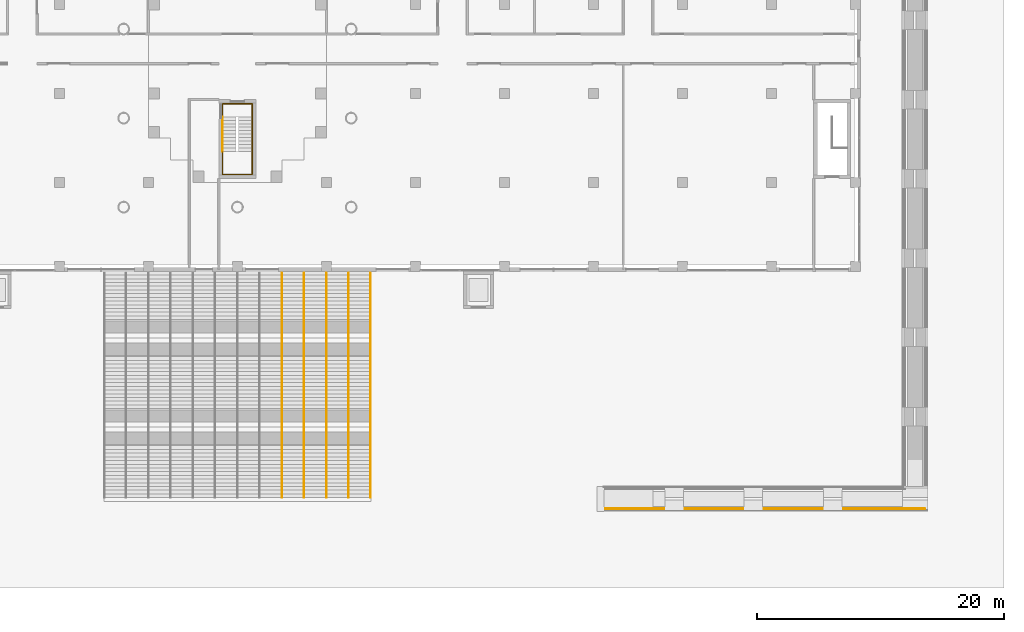
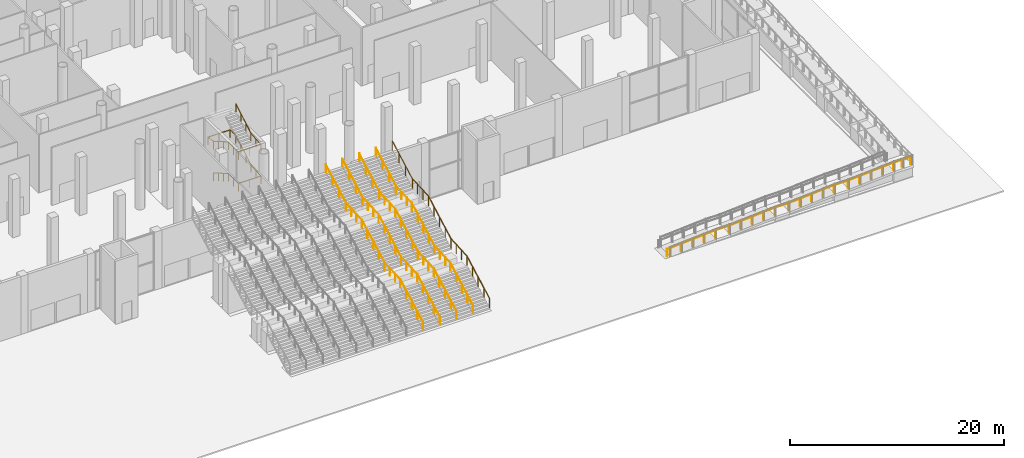
# One storey, part 36 of 44: 10 railings.
"""IFC4 building model written with IfcOpenShell, lengths in metres."""

from ifc_helpers import new_model, si_unit, direction, frame, origin, origin_2d, place, context, subcontext, project, spatial, circle, extrude, material, type_object, element, save


model = new_model("IFC4")

# Units and contexts
model_context = context("Model", 3, precision=1e-05, world=origin(), true_north=direction((0.0, 1.0)))
body_context = subcontext(model_context, "Body", "Model", "MODEL_VIEW")
ifc_project = project(units=[si_unit("LENGTHUNIT", "METRE"), si_unit("AREAUNIT", "SQUARE_METRE"), si_unit("VOLUMEUNIT", "CUBIC_METRE"), si_unit("PLANEANGLEUNIT", "RADIAN"), si_unit("MASSUNIT", "GRAM", prefix="KILO")], contexts=[model_context])

# Site, building, storey
site_placement = place(None, origin())
site = spatial("IfcSite", under=ifc_project, at=site_placement, CompositionType="ELEMENT")
building_placement = place(site_placement, origin())
building = spatial("IfcBuilding", under=site, at=building_placement, Name="Fustian Cross Tower", CompositionType="ELEMENT")
storey_placement = place(building_placement, origin())
storey = spatial("IfcBuildingStorey", under=building, at=storey_placement, Name="L00", CompositionType="ELEMENT", Elevation=0.0)

# Railings
ifc_material_1 = material(Name="Stainless steel", Category="steel")
railing_type_1 = type_object("IfcRailingType", Name="STAIR HANDRAIL", PredefinedType="HANDRAIL", material=ifc_material_1)
railing_1_placement = place(storey_placement, frame((-1.199951171875, -37.89990234375, 0.16357421875)))
element("IfcRailing", 1, at=railing_1_placement, inside=storey, type_object=railing_type_1, Name="Stair ST6 handrail 1", PredefinedType="HANDRAIL", context=body_context, shape_type="SweptSolid", body=[
    extrude(circle(Radius=0.02490234375, at=origin_2d()), frame((0.0, 0.0, 0.875), z_axis=(0.0, -0.863360870873, 0.504586966384), x_axis=(1.0, 0.0, 0.0)), (0.0, 0.0, 1.0), 3.2431640625),
    extrude(circle(Radius=0.02001953125, at=origin_2d()), origin(), (0.0, 0.0, 1.0), 0.849853515625),
    extrude(circle(Radius=0.02001953125, at=origin_2d()), frame((0.0, -0.933349609375, 0.54541015625)), (0.0, 0.0, 1.0), 0.849853515625),
    extrude(circle(Radius=0.02001953125, at=origin_2d()), frame((0.0, -1.86669921875, 1.091064453125)), (0.0, 0.0, 1.0), 0.849853515625),
    extrude(circle(Radius=0.02001953125, at=origin_2d()), frame((0.0, -2.800048828125, 1.636474609375)), (0.0, 0.0, 1.0), 0.849853515625),
])
railing_2_placement = place(storey_placement, frame((-1.199951171875, -40.699951171875, 1.800048828125)))
element("IfcRailing", 2, at=railing_2_placement, inside=storey, type_object=railing_type_1, Name="Stair ST6 handrail 2", PredefinedType="HANDRAIL", context=body_context, shape_type="SweptSolid", body=[
    extrude(circle(Radius=0.02490234375, at=origin_2d()), frame((0.0, 0.0, 0.875), z_axis=(0.0, -1.0, 0.0), x_axis=(1.0, 0.0, 0.0)), (0.0, 0.0, 1.0), 1.860107421875),
    extrude(circle(Radius=0.02490234375, at=origin_2d()), frame((0.0, -1.860107421875, 0.875), z_axis=(1.0, 0.0, 0.0), x_axis=(0.0, 1.0, 0.0)), (0.0, 0.0, 1.0), 2.39990234375),
    extrude(circle(Radius=0.02490234375, at=origin_2d()), frame((2.39990234375, -1.860107421875, 0.875), z_axis=(0.0, 0.996155731489, 0.087599992138), x_axis=(-1.0, 0.0, 0.0)), (0.0, 0.0, 1.0), 1.8671875),
    extrude(circle(Radius=0.02490234375, at=origin_2d()), frame((2.39990234375, 0.0, 1.03857421875), z_axis=(0.0, 0.863360870873, 0.504586966384), x_axis=(-1.0, 0.0, 0.0)), (0.0, 0.0, 1.0), 3.2431640625),
    extrude(circle(Radius=0.02001953125, at=origin_2d()), origin(), (0.0, 0.0, 1.0), 0.849853515625),
    extrude(circle(Radius=0.02001953125, at=origin_2d()), frame((0.0, -0.93017578125, 0.0)), (0.0, 0.0, 1.0), 0.849853515625),
    extrude(circle(Radius=0.02001953125, at=origin_2d()), frame((0.0, -1.860107421875, 0.0)), (0.0, 0.0, 1.0), 0.849853515625),
    extrude(circle(Radius=0.02001953125, at=origin_2d()), frame((1.199951171875, -1.860107421875, 0.0)), (0.0, 0.0, 1.0), 0.849853515625),
    extrude(circle(Radius=0.02001953125, at=origin_2d()), frame((2.39990234375, -1.860107421875, 0.0)), (0.0, 0.0, 1.0), 0.849853515625),
    extrude(circle(Radius=0.02001953125, at=origin_2d()), frame((2.39990234375, -0.93017578125, 0.081787109375)), (0.0, 0.0, 1.0), 0.849853515625),
    extrude(circle(Radius=0.02001953125, at=origin_2d()), frame((2.39990234375, 0.0, 0.16357421875)), (0.0, 0.0, 1.0), 0.849853515625),
    extrude(circle(Radius=0.02001953125, at=origin_2d()), frame((2.39990234375, 0.933349609375, 0.708984375)), (0.0, 0.0, 1.0), 0.849853515625),
    extrude(circle(Radius=0.02001953125, at=origin_2d()), frame((2.39990234375, 1.86669921875, 1.254638671875)), (0.0, 0.0, 1.0), 0.849853515625),
    extrude(circle(Radius=0.02001953125, at=origin_2d()), frame((2.39990234375, 2.800048828125, 1.800048828125)), (0.0, 0.0, 1.0), 0.849853515625),
])
railing_3_placement = place(storey_placement, frame((1.199951171875, -37.89990234375, 3.60009765625)))
element("IfcRailing", 3, at=railing_3_placement, inside=storey, type_object=railing_type_1, Name="Stair ST6 handrail 3", PredefinedType="HANDRAIL", context=body_context, shape_type="SweptSolid", body=[
    extrude(circle(Radius=0.02490234375, at=origin_2d()), frame((0.0, 0.0, 0.875), z_axis=(0.0, 1.0, 0.0), x_axis=(-1.0, 0.0, 0.0)), (0.0, 0.0, 1.0), 1.059814453125),
    extrude(circle(Radius=0.02490234375, at=origin_2d()), frame((0.0, 1.059814453125, 0.875), z_axis=(-1.0, 0.0, 0.0), x_axis=(0.0, -1.0, 0.0)), (0.0, 0.0, 1.0), 2.39990234375),
    extrude(circle(Radius=0.02490234375, at=origin_2d()), frame((-2.39990234375, 1.059814453125, 0.875), z_axis=(0.0, -0.988297886235, 0.152536186081), x_axis=(1.0, 0.0, 0.0)), (0.0, 0.0, 1.0), 1.072265625),
    extrude(circle(Radius=0.02490234375, at=origin_2d()), frame((-2.39990234375, 0.0, 1.03857421875), z_axis=(0.0, -0.863393664356, 0.504530851732), x_axis=(1.0, 0.0, 0.0)), (0.0, 0.0, 1.0), 3.2431640625),
    extrude(circle(Radius=0.02001953125, at=origin_2d()), origin(), (0.0, 0.0, 1.0), 0.849853515625),
    extrude(circle(Radius=0.02001953125, at=origin_2d()), frame((0.0, 1.059814453125, 0.0)), (0.0, 0.0, 1.0), 0.849853515625),
    extrude(circle(Radius=0.02001953125, at=origin_2d()), frame((-1.199951171875, 1.059814453125, 0.0)), (0.0, 0.0, 1.0), 0.849853515625),
    extrude(circle(Radius=0.02001953125, at=origin_2d()), frame((-2.39990234375, 1.059814453125, 0.0)), (0.0, 0.0, 1.0), 0.849853515625),
    extrude(circle(Radius=0.02001953125, at=origin_2d()), frame((-2.39990234375, 0.0, 0.16357421875)), (0.0, 0.0, 1.0), 0.849853515625),
    extrude(circle(Radius=0.02001953125, at=origin_2d()), frame((-2.39990234375, -0.933349609375, 0.708984375)), (0.0, 0.0, 1.0), 0.849853515625),
    extrude(circle(Radius=0.02001953125, at=origin_2d()), frame((-2.39990234375, -1.86669921875, 1.25439453125)), (0.0, 0.0, 1.0), 0.849853515625),
    extrude(circle(Radius=0.02001953125, at=origin_2d()), frame((-2.39990234375, -2.800048828125, 1.7998046875)), (0.0, 0.0, 1.0), 0.849853515625),
])
railing_4_placement = place(storey_placement, frame((-1.199951171875, -40.699951171875, 5.39990234375)))
element("IfcRailing", 4, at=railing_4_placement, inside=storey, type_object=railing_type_1, Name="Stair ST6 handrail 4", PredefinedType="HANDRAIL", context=body_context, shape_type="SweptSolid", body=[
    extrude(circle(Radius=0.02490234375, at=origin_2d()), frame((0.0, 0.0, 0.875), z_axis=(0.0, -1.0, 0.0), x_axis=(1.0, 0.0, 0.0)), (0.0, 0.0, 1.0), 1.860107421875),
    extrude(circle(Radius=0.02490234375, at=origin_2d()), frame((0.0, -1.860107421875, 0.875), z_axis=(1.0, 0.0, 0.0), x_axis=(0.0, 1.0, 0.0)), (0.0, 0.0, 1.0), 2.39990234375),
    extrude(circle(Radius=0.02490234375, at=origin_2d()), frame((2.39990234375, -1.860107421875, 0.875), z_axis=(0.0, 0.996144313829, 0.087729732849), x_axis=(-1.0, 0.0, 0.0)), (0.0, 0.0, 1.0), 1.8671875),
    extrude(circle(Radius=0.02490234375, at=origin_2d()), frame((2.39990234375, 0.0, 1.03857421875), z_axis=(0.0, 0.863393664356, 0.504530851732), x_axis=(-1.0, 0.0, 0.0)), (0.0, 0.0, 1.0), 3.2431640625),
    extrude(circle(Radius=0.02001953125, at=origin_2d()), origin(), (0.0, 0.0, 1.0), 0.849853515625),
    extrude(circle(Radius=0.02001953125, at=origin_2d()), frame((0.0, -0.93017578125, 0.0)), (0.0, 0.0, 1.0), 0.849853515625),
    extrude(circle(Radius=0.02001953125, at=origin_2d()), frame((0.0, -1.860107421875, 0.0)), (0.0, 0.0, 1.0), 0.849853515625),
    extrude(circle(Radius=0.02001953125, at=origin_2d()), frame((1.199951171875, -1.860107421875, 0.0)), (0.0, 0.0, 1.0), 0.849853515625),
    extrude(circle(Radius=0.02001953125, at=origin_2d()), frame((2.39990234375, -1.860107421875, 0.0)), (0.0, 0.0, 1.0), 0.849853515625),
    extrude(circle(Radius=0.02001953125, at=origin_2d()), frame((2.39990234375, -0.93017578125, 0.08203125)), (0.0, 0.0, 1.0), 0.849853515625),
    extrude(circle(Radius=0.02001953125, at=origin_2d()), frame((2.39990234375, 0.0, 0.163818359375)), (0.0, 0.0, 1.0), 0.849853515625),
    extrude(circle(Radius=0.02001953125, at=origin_2d()), frame((2.39990234375, 0.933349609375, 0.709228515625)), (0.0, 0.0, 1.0), 0.849853515625),
    extrude(circle(Radius=0.02001953125, at=origin_2d()), frame((2.39990234375, 1.86669921875, 1.254638671875)), (0.0, 0.0, 1.0), 0.849853515625),
    extrude(circle(Radius=0.02001953125, at=origin_2d()), frame((2.39990234375, 2.800048828125, 1.800048828125)), (0.0, 0.0, 1.0), 0.849853515625),
])
ifc_material_2 = material(Name="Steel S355", Category="steel")
railing_type_2 = type_object("IfcRailingType", Name="STEEL GUARD 1100", PredefinedType="GUARDRAIL", material=ifc_material_2)
railing_5_placement = place(storey_placement, frame((10.75, -68.699951171875, 0.16357421875)))
element("IfcRailing", 5, at=railing_5_placement, inside=storey, type_object=railing_type_2, Name="Stair guard G2", PredefinedType="GUARDRAIL", context=body_context, shape_type="SweptSolid", body=[
    extrude(circle(Radius=0.02392578125, at=origin_2d()), frame((0.0, 0.0, 1.076171875), z_axis=(0.0, 0.877883871309, 0.478873583001), x_axis=(-1.0, 0.0, 0.0)), (0.0, 0.0, 1.0), 4.7841796875),
    extrude(circle(Radius=0.02392578125, at=origin_2d()), frame((0.0, 4.199951171875, 3.3671875), z_axis=(0.0, 0.998516832602, 0.054443870267), x_axis=(-1.0, 0.0, 0.0)), (0.0, 0.0, 1.0), 3.00439453125),
    extrude(circle(Radius=0.02392578125, at=origin_2d()), frame((0.0, 7.199951171875, 3.53076171875), z_axis=(0.0, 0.877883871309, 0.478873583001), x_axis=(-1.0, 0.0, 0.0)), (0.0, 0.0, 1.0), 4.7841796875),
    extrude(circle(Radius=0.02392578125, at=origin_2d()), frame((0.0, 11.39990234375, 5.82177734375), z_axis=(0.0, 0.998516832602, 0.054443870267), x_axis=(-1.0, 0.0, 0.0)), (0.0, 0.0, 1.0), 3.00439453125),
    extrude(circle(Radius=0.02392578125, at=origin_2d()), frame((0.0, 14.39990234375, 5.9853515625), z_axis=(0.0, 0.877899941409, 0.478844121688), x_axis=(-1.0, 0.0, 0.0)), (0.0, 0.0, 1.0), 4.271484375),
    extrude(circle(Radius=0.02099609375, at=origin_2d()), origin(), (0.0, 0.0, 1.0), 1.052001953125),
    extrude(circle(Radius=0.02099609375, at=origin_2d()), frame((0.0, 1.050048828125, 0.57275390625)), (0.0, 0.0, 1.0), 1.052001953125),
    extrude(circle(Radius=0.02099609375, at=origin_2d()), frame((0.0, 2.10009765625, 1.1455078125)), (0.0, 0.0, 1.0), 1.052001953125),
    extrude(circle(Radius=0.02099609375, at=origin_2d()), frame((0.0, 3.14990234375, 1.71826171875)), (0.0, 0.0, 1.0), 1.052001953125),
    extrude(circle(Radius=0.02099609375, at=origin_2d()), frame((0.0, 4.199951171875, 2.291015625)), (0.0, 0.0, 1.0), 1.052001953125),
    extrude(circle(Radius=0.02099609375, at=origin_2d()), frame((0.0, 5.199951171875, 2.345458984375)), (0.0, 0.0, 1.0), 1.052001953125),
    extrude(circle(Radius=0.02099609375, at=origin_2d()), frame((0.0, 6.199951171875, 2.400146484375)), (0.0, 0.0, 1.0), 1.052001953125),
    extrude(circle(Radius=0.02099609375, at=origin_2d()), frame((0.0, 7.199951171875, 2.45458984375)), (0.0, 0.0, 1.0), 1.052001953125),
    extrude(circle(Radius=0.02099609375, at=origin_2d()), frame((0.0, 8.25, 3.02734375)), (0.0, 0.0, 1.0), 1.052001953125),
    extrude(circle(Radius=0.02099609375, at=origin_2d()), frame((0.0, 9.2998046875, 3.60009765625)), (0.0, 0.0, 1.0), 1.052001953125),
    extrude(circle(Radius=0.02099609375, at=origin_2d()), frame((0.0, 10.349853515625, 4.1728515625)), (0.0, 0.0, 1.0), 1.052001953125),
    extrude(circle(Radius=0.02099609375, at=origin_2d()), frame((0.0, 11.39990234375, 4.74560546875)), (0.0, 0.0, 1.0), 1.052001953125),
    extrude(circle(Radius=0.02099609375, at=origin_2d()), frame((0.0, 12.39990234375, 4.800048828125)), (0.0, 0.0, 1.0), 1.052001953125),
    extrude(circle(Radius=0.02099609375, at=origin_2d()), frame((0.0, 13.39990234375, 4.854736328125)), (0.0, 0.0, 1.0), 1.052001953125),
    extrude(circle(Radius=0.02099609375, at=origin_2d()), frame((0.0, 14.39990234375, 4.9091796875)), (0.0, 0.0, 1.0), 1.052001953125),
    extrude(circle(Radius=0.02099609375, at=origin_2d()), frame((0.0, 15.64990234375, 5.591064453125)), (0.0, 0.0, 1.0), 1.052001953125),
    extrude(circle(Radius=0.02099609375, at=origin_2d()), frame((0.0, 16.89990234375, 6.272705078125)), (0.0, 0.0, 1.0), 1.052001953125),
    extrude(circle(Radius=0.02099609375, at=origin_2d()), frame((0.0, 18.14990234375, 6.95458984375)), (0.0, 0.0, 1.0), 1.052001953125),
])
ifc_material_3 = material(Name="Steel S355", Category="steel")
railing_type_3 = type_object("IfcRailingType", Name="STEEL HANDRAIL 900", PredefinedType="HANDRAIL", material=ifc_material_3)
railing_6_placement = place(storey_placement, frame((3.60009765625, -68.699951171875, 0.16357421875)))
element("IfcRailing", 6, at=railing_6_placement, inside=storey, type_object=railing_type_3, Name="Stair handrail H8", PredefinedType="HANDRAIL", context=body_context, shape_type="SweptSolid", body=[
    extrude(circle(Radius=0.02392578125, at=origin_2d()), frame((0.0, 0.0, 0.8759765625), z_axis=(0.0, 0.877883871309, 0.478873583001), x_axis=(-1.0, 0.0, 0.0)), (0.0, 0.0, 1.0), 4.7841796875),
    extrude(circle(Radius=0.02392578125, at=origin_2d()), frame((0.0, 4.199951171875, 3.1669921875), z_axis=(0.0, 0.998516832602, 0.054443870267), x_axis=(-1.0, 0.0, 0.0)), (0.0, 0.0, 1.0), 3.00439453125),
    extrude(circle(Radius=0.02392578125, at=origin_2d()), frame((0.0, 7.199951171875, 3.33056640625), z_axis=(0.0, 0.877883871309, 0.478873583001), x_axis=(-1.0, 0.0, 0.0)), (0.0, 0.0, 1.0), 4.7841796875),
    extrude(circle(Radius=0.02392578125, at=origin_2d()), frame((0.0, 11.39990234375, 5.62158203125), z_axis=(0.0, 0.998516832602, 0.054443870267), x_axis=(-1.0, 0.0, 0.0)), (0.0, 0.0, 1.0), 3.00439453125),
    extrude(circle(Radius=0.02392578125, at=origin_2d()), frame((0.0, 14.39990234375, 5.78515625), z_axis=(0.0, 0.877899941409, 0.478844121688), x_axis=(-1.0, 0.0, 0.0)), (0.0, 0.0, 1.0), 4.271484375),
    extrude(circle(Radius=0.02099609375, at=origin_2d()), origin(), (0.0, 0.0, 1.0), 0.851806640625),
    extrude(circle(Radius=0.02099609375, at=origin_2d()), frame((0.0, 1.050048828125, 0.57275390625)), (0.0, 0.0, 1.0), 0.851806640625),
    extrude(circle(Radius=0.02099609375, at=origin_2d()), frame((0.0, 2.10009765625, 1.1455078125)), (0.0, 0.0, 1.0), 0.851806640625),
    extrude(circle(Radius=0.02099609375, at=origin_2d()), frame((0.0, 3.14990234375, 1.71826171875)), (0.0, 0.0, 1.0), 0.851806640625),
    extrude(circle(Radius=0.02099609375, at=origin_2d()), frame((0.0, 4.199951171875, 2.291015625)), (0.0, 0.0, 1.0), 0.851806640625),
    extrude(circle(Radius=0.02099609375, at=origin_2d()), frame((0.0, 5.199951171875, 2.345458984375)), (0.0, 0.0, 1.0), 0.851806640625),
    extrude(circle(Radius=0.02099609375, at=origin_2d()), frame((0.0, 6.199951171875, 2.400146484375)), (0.0, 0.0, 1.0), 0.851806640625),
    extrude(circle(Radius=0.02099609375, at=origin_2d()), frame((0.0, 7.199951171875, 2.45458984375)), (0.0, 0.0, 1.0), 0.851806640625),
    extrude(circle(Radius=0.02099609375, at=origin_2d()), frame((0.0, 8.25, 3.02734375)), (0.0, 0.0, 1.0), 0.851806640625),
    extrude(circle(Radius=0.02099609375, at=origin_2d()), frame((0.0, 9.2998046875, 3.60009765625)), (0.0, 0.0, 1.0), 0.851806640625),
    extrude(circle(Radius=0.02099609375, at=origin_2d()), frame((0.0, 10.349853515625, 4.1728515625)), (0.0, 0.0, 1.0), 0.851806640625),
    extrude(circle(Radius=0.02099609375, at=origin_2d()), frame((0.0, 11.39990234375, 4.74560546875)), (0.0, 0.0, 1.0), 0.851806640625),
    extrude(circle(Radius=0.02099609375, at=origin_2d()), frame((0.0, 12.39990234375, 4.800048828125)), (0.0, 0.0, 1.0), 0.851806640625),
    extrude(circle(Radius=0.02099609375, at=origin_2d()), frame((0.0, 13.39990234375, 4.854736328125)), (0.0, 0.0, 1.0), 0.851806640625),
    extrude(circle(Radius=0.02099609375, at=origin_2d()), frame((0.0, 14.39990234375, 4.9091796875)), (0.0, 0.0, 1.0), 0.851806640625),
    extrude(circle(Radius=0.02099609375, at=origin_2d()), frame((0.0, 15.64990234375, 5.591064453125)), (0.0, 0.0, 1.0), 0.851806640625),
    extrude(circle(Radius=0.02099609375, at=origin_2d()), frame((0.0, 16.89990234375, 6.272705078125)), (0.0, 0.0, 1.0), 0.851806640625),
    extrude(circle(Radius=0.02099609375, at=origin_2d()), frame((0.0, 18.14990234375, 6.95458984375)), (0.0, 0.0, 1.0), 0.851806640625),
])
railing_7_placement = place(storey_placement, frame((5.39990234375, -68.699951171875, 0.16357421875)))
element("IfcRailing", 7, at=railing_7_placement, inside=storey, type_object=railing_type_3, Name="Stair handrail H9", PredefinedType="HANDRAIL", context=body_context, shape_type="SweptSolid", body=[
    extrude(circle(Radius=0.02392578125, at=origin_2d()), frame((0.0, 0.0, 0.8759765625), z_axis=(0.0, 0.877883871309, 0.478873583001), x_axis=(-1.0, 0.0, 0.0)), (0.0, 0.0, 1.0), 4.7841796875),
    extrude(circle(Radius=0.02392578125, at=origin_2d()), frame((0.0, 4.199951171875, 3.1669921875), z_axis=(0.0, 0.998516832602, 0.054443870267), x_axis=(-1.0, 0.0, 0.0)), (0.0, 0.0, 1.0), 3.00439453125),
    extrude(circle(Radius=0.02392578125, at=origin_2d()), frame((0.0, 7.199951171875, 3.33056640625), z_axis=(0.0, 0.877883871309, 0.478873583001), x_axis=(-1.0, 0.0, 0.0)), (0.0, 0.0, 1.0), 4.7841796875),
    extrude(circle(Radius=0.02392578125, at=origin_2d()), frame((0.0, 11.39990234375, 5.62158203125), z_axis=(0.0, 0.998516832602, 0.054443870267), x_axis=(-1.0, 0.0, 0.0)), (0.0, 0.0, 1.0), 3.00439453125),
    extrude(circle(Radius=0.02392578125, at=origin_2d()), frame((0.0, 14.39990234375, 5.78515625), z_axis=(0.0, 0.877899941409, 0.478844121688), x_axis=(-1.0, 0.0, 0.0)), (0.0, 0.0, 1.0), 4.271484375),
    extrude(circle(Radius=0.02099609375, at=origin_2d()), origin(), (0.0, 0.0, 1.0), 0.851806640625),
    extrude(circle(Radius=0.02099609375, at=origin_2d()), frame((0.0, 1.050048828125, 0.57275390625)), (0.0, 0.0, 1.0), 0.851806640625),
    extrude(circle(Radius=0.02099609375, at=origin_2d()), frame((0.0, 2.10009765625, 1.1455078125)), (0.0, 0.0, 1.0), 0.851806640625),
    extrude(circle(Radius=0.02099609375, at=origin_2d()), frame((0.0, 3.14990234375, 1.71826171875)), (0.0, 0.0, 1.0), 0.851806640625),
    extrude(circle(Radius=0.02099609375, at=origin_2d()), frame((0.0, 4.199951171875, 2.291015625)), (0.0, 0.0, 1.0), 0.851806640625),
    extrude(circle(Radius=0.02099609375, at=origin_2d()), frame((0.0, 5.199951171875, 2.345458984375)), (0.0, 0.0, 1.0), 0.851806640625),
    extrude(circle(Radius=0.02099609375, at=origin_2d()), frame((0.0, 6.199951171875, 2.400146484375)), (0.0, 0.0, 1.0), 0.851806640625),
    extrude(circle(Radius=0.02099609375, at=origin_2d()), frame((0.0, 7.199951171875, 2.45458984375)), (0.0, 0.0, 1.0), 0.851806640625),
    extrude(circle(Radius=0.02099609375, at=origin_2d()), frame((0.0, 8.25, 3.02734375)), (0.0, 0.0, 1.0), 0.851806640625),
    extrude(circle(Radius=0.02099609375, at=origin_2d()), frame((0.0, 9.2998046875, 3.60009765625)), (0.0, 0.0, 1.0), 0.851806640625),
    extrude(circle(Radius=0.02099609375, at=origin_2d()), frame((0.0, 10.349853515625, 4.1728515625)), (0.0, 0.0, 1.0), 0.851806640625),
    extrude(circle(Radius=0.02099609375, at=origin_2d()), frame((0.0, 11.39990234375, 4.74560546875)), (0.0, 0.0, 1.0), 0.851806640625),
    extrude(circle(Radius=0.02099609375, at=origin_2d()), frame((0.0, 12.39990234375, 4.800048828125)), (0.0, 0.0, 1.0), 0.851806640625),
    extrude(circle(Radius=0.02099609375, at=origin_2d()), frame((0.0, 13.39990234375, 4.854736328125)), (0.0, 0.0, 1.0), 0.851806640625),
    extrude(circle(Radius=0.02099609375, at=origin_2d()), frame((0.0, 14.39990234375, 4.9091796875)), (0.0, 0.0, 1.0), 0.851806640625),
    extrude(circle(Radius=0.02099609375, at=origin_2d()), frame((0.0, 15.64990234375, 5.591064453125)), (0.0, 0.0, 1.0), 0.851806640625),
    extrude(circle(Radius=0.02099609375, at=origin_2d()), frame((0.0, 16.89990234375, 6.272705078125)), (0.0, 0.0, 1.0), 0.851806640625),
    extrude(circle(Radius=0.02099609375, at=origin_2d()), frame((0.0, 18.14990234375, 6.95458984375)), (0.0, 0.0, 1.0), 0.851806640625),
])
railing_8_placement = place(storey_placement, frame((7.199951171875, -68.699951171875, 0.16357421875)))
element("IfcRailing", 8, at=railing_8_placement, inside=storey, type_object=railing_type_3, Name="Stair handrail H10", PredefinedType="HANDRAIL", context=body_context, shape_type="SweptSolid", body=[
    extrude(circle(Radius=0.02392578125, at=origin_2d()), frame((0.0, 0.0, 0.8759765625), z_axis=(0.0, 0.877883871309, 0.478873583001), x_axis=(-1.0, 0.0, 0.0)), (0.0, 0.0, 1.0), 4.7841796875),
    extrude(circle(Radius=0.02392578125, at=origin_2d()), frame((0.0, 4.199951171875, 3.1669921875), z_axis=(0.0, 0.998516832602, 0.054443870267), x_axis=(-1.0, 0.0, 0.0)), (0.0, 0.0, 1.0), 3.00439453125),
    extrude(circle(Radius=0.02392578125, at=origin_2d()), frame((0.0, 7.199951171875, 3.33056640625), z_axis=(0.0, 0.877883871309, 0.478873583001), x_axis=(-1.0, 0.0, 0.0)), (0.0, 0.0, 1.0), 4.7841796875),
    extrude(circle(Radius=0.02392578125, at=origin_2d()), frame((0.0, 11.39990234375, 5.62158203125), z_axis=(0.0, 0.998516832602, 0.054443870267), x_axis=(-1.0, 0.0, 0.0)), (0.0, 0.0, 1.0), 3.00439453125),
    extrude(circle(Radius=0.02392578125, at=origin_2d()), frame((0.0, 14.39990234375, 5.78515625), z_axis=(0.0, 0.877899941409, 0.478844121688), x_axis=(-1.0, 0.0, 0.0)), (0.0, 0.0, 1.0), 4.271484375),
    extrude(circle(Radius=0.02099609375, at=origin_2d()), origin(), (0.0, 0.0, 1.0), 0.851806640625),
    extrude(circle(Radius=0.02099609375, at=origin_2d()), frame((0.0, 1.050048828125, 0.57275390625)), (0.0, 0.0, 1.0), 0.851806640625),
    extrude(circle(Radius=0.02099609375, at=origin_2d()), frame((0.0, 2.10009765625, 1.1455078125)), (0.0, 0.0, 1.0), 0.851806640625),
    extrude(circle(Radius=0.02099609375, at=origin_2d()), frame((0.0, 3.14990234375, 1.71826171875)), (0.0, 0.0, 1.0), 0.851806640625),
    extrude(circle(Radius=0.02099609375, at=origin_2d()), frame((0.0, 4.199951171875, 2.291015625)), (0.0, 0.0, 1.0), 0.851806640625),
    extrude(circle(Radius=0.02099609375, at=origin_2d()), frame((0.0, 5.199951171875, 2.345458984375)), (0.0, 0.0, 1.0), 0.851806640625),
    extrude(circle(Radius=0.02099609375, at=origin_2d()), frame((0.0, 6.199951171875, 2.400146484375)), (0.0, 0.0, 1.0), 0.851806640625),
    extrude(circle(Radius=0.02099609375, at=origin_2d()), frame((0.0, 7.199951171875, 2.45458984375)), (0.0, 0.0, 1.0), 0.851806640625),
    extrude(circle(Radius=0.02099609375, at=origin_2d()), frame((0.0, 8.25, 3.02734375)), (0.0, 0.0, 1.0), 0.851806640625),
    extrude(circle(Radius=0.02099609375, at=origin_2d()), frame((0.0, 9.2998046875, 3.60009765625)), (0.0, 0.0, 1.0), 0.851806640625),
    extrude(circle(Radius=0.02099609375, at=origin_2d()), frame((0.0, 10.349853515625, 4.1728515625)), (0.0, 0.0, 1.0), 0.851806640625),
    extrude(circle(Radius=0.02099609375, at=origin_2d()), frame((0.0, 11.39990234375, 4.74560546875)), (0.0, 0.0, 1.0), 0.851806640625),
    extrude(circle(Radius=0.02099609375, at=origin_2d()), frame((0.0, 12.39990234375, 4.800048828125)), (0.0, 0.0, 1.0), 0.851806640625),
    extrude(circle(Radius=0.02099609375, at=origin_2d()), frame((0.0, 13.39990234375, 4.854736328125)), (0.0, 0.0, 1.0), 0.851806640625),
    extrude(circle(Radius=0.02099609375, at=origin_2d()), frame((0.0, 14.39990234375, 4.9091796875)), (0.0, 0.0, 1.0), 0.851806640625),
    extrude(circle(Radius=0.02099609375, at=origin_2d()), frame((0.0, 15.64990234375, 5.591064453125)), (0.0, 0.0, 1.0), 0.851806640625),
    extrude(circle(Radius=0.02099609375, at=origin_2d()), frame((0.0, 16.89990234375, 6.272705078125)), (0.0, 0.0, 1.0), 0.851806640625),
    extrude(circle(Radius=0.02099609375, at=origin_2d()), frame((0.0, 18.14990234375, 6.95458984375)), (0.0, 0.0, 1.0), 0.851806640625),
])
railing_9_placement = place(storey_placement, frame((9.0, -68.699951171875, 0.16357421875)))
element("IfcRailing", 9, at=railing_9_placement, inside=storey, type_object=railing_type_3, Name="Stair handrail H11", PredefinedType="HANDRAIL", context=body_context, shape_type="SweptSolid", body=[
    extrude(circle(Radius=0.02392578125, at=origin_2d()), frame((0.0, 0.0, 0.8759765625), z_axis=(0.0, 0.877883871309, 0.478873583001), x_axis=(-1.0, 0.0, 0.0)), (0.0, 0.0, 1.0), 4.7841796875),
    extrude(circle(Radius=0.02392578125, at=origin_2d()), frame((0.0, 4.199951171875, 3.1669921875), z_axis=(0.0, 0.998516832602, 0.054443870267), x_axis=(-1.0, 0.0, 0.0)), (0.0, 0.0, 1.0), 3.00439453125),
    extrude(circle(Radius=0.02392578125, at=origin_2d()), frame((0.0, 7.199951171875, 3.33056640625), z_axis=(0.0, 0.877883871309, 0.478873583001), x_axis=(-1.0, 0.0, 0.0)), (0.0, 0.0, 1.0), 4.7841796875),
    extrude(circle(Radius=0.02392578125, at=origin_2d()), frame((0.0, 11.39990234375, 5.62158203125), z_axis=(0.0, 0.998516832602, 0.054443870267), x_axis=(-1.0, 0.0, 0.0)), (0.0, 0.0, 1.0), 3.00439453125),
    extrude(circle(Radius=0.02392578125, at=origin_2d()), frame((0.0, 14.39990234375, 5.78515625), z_axis=(0.0, 0.877899941409, 0.478844121688), x_axis=(-1.0, 0.0, 0.0)), (0.0, 0.0, 1.0), 4.271484375),
    extrude(circle(Radius=0.02099609375, at=origin_2d()), origin(), (0.0, 0.0, 1.0), 0.851806640625),
    extrude(circle(Radius=0.02099609375, at=origin_2d()), frame((0.0, 1.050048828125, 0.57275390625)), (0.0, 0.0, 1.0), 0.851806640625),
    extrude(circle(Radius=0.02099609375, at=origin_2d()), frame((0.0, 2.10009765625, 1.1455078125)), (0.0, 0.0, 1.0), 0.851806640625),
    extrude(circle(Radius=0.02099609375, at=origin_2d()), frame((0.0, 3.14990234375, 1.71826171875)), (0.0, 0.0, 1.0), 0.851806640625),
    extrude(circle(Radius=0.02099609375, at=origin_2d()), frame((0.0, 4.199951171875, 2.291015625)), (0.0, 0.0, 1.0), 0.851806640625),
    extrude(circle(Radius=0.02099609375, at=origin_2d()), frame((0.0, 5.199951171875, 2.345458984375)), (0.0, 0.0, 1.0), 0.851806640625),
    extrude(circle(Radius=0.02099609375, at=origin_2d()), frame((0.0, 6.199951171875, 2.400146484375)), (0.0, 0.0, 1.0), 0.851806640625),
    extrude(circle(Radius=0.02099609375, at=origin_2d()), frame((0.0, 7.199951171875, 2.45458984375)), (0.0, 0.0, 1.0), 0.851806640625),
    extrude(circle(Radius=0.02099609375, at=origin_2d()), frame((0.0, 8.25, 3.02734375)), (0.0, 0.0, 1.0), 0.851806640625),
    extrude(circle(Radius=0.02099609375, at=origin_2d()), frame((0.0, 9.2998046875, 3.60009765625)), (0.0, 0.0, 1.0), 0.851806640625),
    extrude(circle(Radius=0.02099609375, at=origin_2d()), frame((0.0, 10.349853515625, 4.1728515625)), (0.0, 0.0, 1.0), 0.851806640625),
    extrude(circle(Radius=0.02099609375, at=origin_2d()), frame((0.0, 11.39990234375, 4.74560546875)), (0.0, 0.0, 1.0), 0.851806640625),
    extrude(circle(Radius=0.02099609375, at=origin_2d()), frame((0.0, 12.39990234375, 4.800048828125)), (0.0, 0.0, 1.0), 0.851806640625),
    extrude(circle(Radius=0.02099609375, at=origin_2d()), frame((0.0, 13.39990234375, 4.854736328125)), (0.0, 0.0, 1.0), 0.851806640625),
    extrude(circle(Radius=0.02099609375, at=origin_2d()), frame((0.0, 14.39990234375, 4.9091796875)), (0.0, 0.0, 1.0), 0.851806640625),
    extrude(circle(Radius=0.02099609375, at=origin_2d()), frame((0.0, 15.64990234375, 5.591064453125)), (0.0, 0.0, 1.0), 0.851806640625),
    extrude(circle(Radius=0.02099609375, at=origin_2d()), frame((0.0, 16.89990234375, 6.272705078125)), (0.0, 0.0, 1.0), 0.851806640625),
    extrude(circle(Radius=0.02099609375, at=origin_2d()), frame((0.0, 18.14990234375, 6.95458984375)), (0.0, 0.0, 1.0), 0.851806640625),
])
railing_10_placement = place(storey_placement, frame((29.363525390625, -69.60009765625, 0.0)))
element("IfcRailing", 10, at=railing_10_placement, inside=storey, type_object=railing_type_3, Name="Ramp handrail H2 south leg", PredefinedType="HANDRAIL", context=body_context, shape_type="SweptSolid", body=[
    extrude(circle(Radius=0.02392578125, at=origin_2d()), frame((0.0, 0.0, 0.8759765625), z_axis=(1.0, 0.0, 0.0), x_axis=(0.0, 1.0, 0.0)), (0.0, 0.0, 1.0), 0.300048828125),
    extrude(circle(Radius=0.02392578125, at=origin_2d()), frame((0.300048828125, 0.0, 0.8759765625), z_axis=(0.99778362065, 0.0, 0.066542064616), x_axis=(0.0, 1.0, 0.0)), (0.0, 0.0, 1.0), 4.920166015625),
    extrude(circle(Radius=0.02392578125, at=origin_2d()), frame((5.209228515625, 0.0, 1.203125), z_axis=(1.0, 0.0, 0.0), x_axis=(0.0, 1.0, 0.0)), (0.0, 0.0, 1.0), 1.5),
    extrude(circle(Radius=0.02392578125, at=origin_2d()), frame((6.709228515625, 0.0, 1.203125), z_axis=(0.997786914018, 0.0, 0.06649266286), x_axis=(0.0, 1.0, 0.0)), (0.0, 0.0, 1.0), 4.920166015625),
    extrude(circle(Radius=0.02392578125, at=origin_2d()), frame((11.618408203125, 0.0, 1.5302734375), z_axis=(1.0, 0.0, 0.0), x_axis=(0.0, 1.0, 0.0)), (0.0, 0.0, 1.0), 1.5),
    extrude(circle(Radius=0.02392578125, at=origin_2d()), frame((13.118408203125, 0.0, 1.5302734375), z_axis=(0.997783400918, 0.0, 0.066545359359), x_axis=(0.0, 1.0, 0.0)), (0.0, 0.0, 1.0), 4.919921875),
    extrude(circle(Radius=0.02392578125, at=origin_2d()), frame((18.02734375, 0.0, 1.85791015625), z_axis=(1.0, 0.0, 0.0), x_axis=(0.0, 1.0, 0.0)), (0.0, 0.0, 1.0), 1.5),
    extrude(circle(Radius=0.02392578125, at=origin_2d()), frame((19.52734375, 0.0, 1.85791015625), z_axis=(0.997786914018, 0.0, 0.06649266286), x_axis=(0.0, 1.0, 0.0)), (0.0, 0.0, 1.0), 4.920166015625),
    extrude(circle(Radius=0.02392578125, at=origin_2d()), frame((24.4365234375, 0.0, 2.18505859375), z_axis=(1.0, 0.0, 0.0), x_axis=(0.0, 1.0, 0.0)), (0.0, 0.0, 1.0), 1.800048828125),
    extrude(circle(Radius=0.02099609375, at=origin_2d()), origin(), (0.0, 0.0, 1.0), 0.851806640625),
    extrude(circle(Radius=0.02099609375, at=origin_2d()), frame((0.300048828125, 0.0, 0.0)), (0.0, 0.0, 1.0), 0.851806640625),
    extrude(circle(Radius=0.02099609375, at=origin_2d()), frame((1.52734375, 0.0, 0.081787109375)), (0.0, 0.0, 1.0), 0.851806640625),
    extrude(circle(Radius=0.02099609375, at=origin_2d()), frame((2.754638671875, 0.0, 0.16357421875)), (0.0, 0.0, 1.0), 0.851806640625),
    extrude(circle(Radius=0.02099609375, at=origin_2d()), frame((3.98193359375, 0.0, 0.24560546875)), (0.0, 0.0, 1.0), 0.851806640625),
    extrude(circle(Radius=0.02099609375, at=origin_2d()), frame((5.209228515625, 0.0, 0.327392578125)), (0.0, 0.0, 1.0), 0.851806640625),
    extrude(circle(Radius=0.02099609375, at=origin_2d()), frame((6.709228515625, 0.0, 0.327392578125)), (0.0, 0.0, 1.0), 0.851806640625),
    extrude(circle(Radius=0.02099609375, at=origin_2d()), frame((7.9365234375, 0.0, 0.4091796875)), (0.0, 0.0, 1.0), 0.851806640625),
    extrude(circle(Radius=0.02099609375, at=origin_2d()), frame((9.163818359375, 0.0, 0.490966796875)), (0.0, 0.0, 1.0), 0.851806640625),
    extrude(circle(Radius=0.02099609375, at=origin_2d()), frame((10.39111328125, 0.0, 0.57275390625)), (0.0, 0.0, 1.0), 0.851806640625),
    extrude(circle(Radius=0.02099609375, at=origin_2d()), frame((11.618408203125, 0.0, 0.654541015625)), (0.0, 0.0, 1.0), 0.851806640625),
    extrude(circle(Radius=0.02099609375, at=origin_2d()), frame((13.118408203125, 0.0, 0.654541015625)), (0.0, 0.0, 1.0), 0.851806640625),
    extrude(circle(Radius=0.02099609375, at=origin_2d()), frame((14.345703125, 0.0, 0.736328125)), (0.0, 0.0, 1.0), 0.851806640625),
    extrude(circle(Radius=0.02099609375, at=origin_2d()), frame((15.57275390625, 0.0, 0.818359375)), (0.0, 0.0, 1.0), 0.851806640625),
    extrude(circle(Radius=0.02099609375, at=origin_2d()), frame((16.800048828125, 0.0, 0.900146484375)), (0.0, 0.0, 1.0), 0.851806640625),
    extrude(circle(Radius=0.02099609375, at=origin_2d()), frame((18.02734375, 0.0, 0.98193359375)), (0.0, 0.0, 1.0), 0.851806640625),
    extrude(circle(Radius=0.02099609375, at=origin_2d()), frame((19.52734375, 0.0, 0.98193359375)), (0.0, 0.0, 1.0), 0.851806640625),
    extrude(circle(Radius=0.02099609375, at=origin_2d()), frame((20.754638671875, 0.0, 1.063720703125)), (0.0, 0.0, 1.0), 0.851806640625),
    extrude(circle(Radius=0.02099609375, at=origin_2d()), frame((21.98193359375, 0.0, 1.1455078125)), (0.0, 0.0, 1.0), 0.851806640625),
    extrude(circle(Radius=0.02099609375, at=origin_2d()), frame((23.209228515625, 0.0, 1.227294921875)), (0.0, 0.0, 1.0), 0.851806640625),
    extrude(circle(Radius=0.02099609375, at=origin_2d()), frame((24.4365234375, 0.0, 1.30908203125)), (0.0, 0.0, 1.0), 0.851806640625),
    extrude(circle(Radius=0.02099609375, at=origin_2d()), frame((25.33642578125, 0.0, 1.30908203125)), (0.0, 0.0, 1.0), 0.851806640625),
    extrude(circle(Radius=0.02099609375, at=origin_2d()), frame((26.236572265625, 0.0, 1.30908203125)), (0.0, 0.0, 1.0), 0.851806640625),
])

save(model, "model.ifc")
